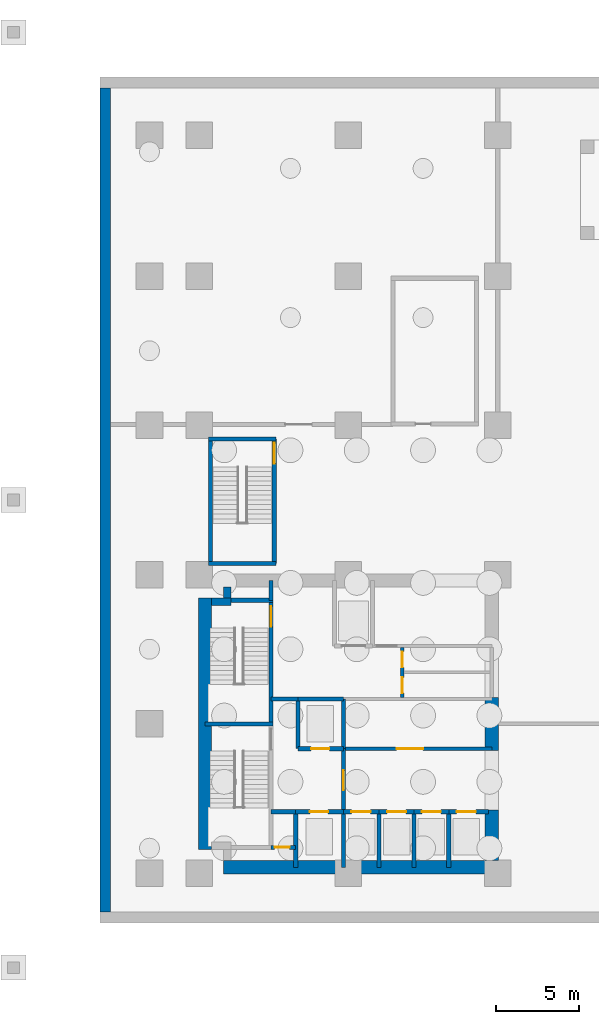
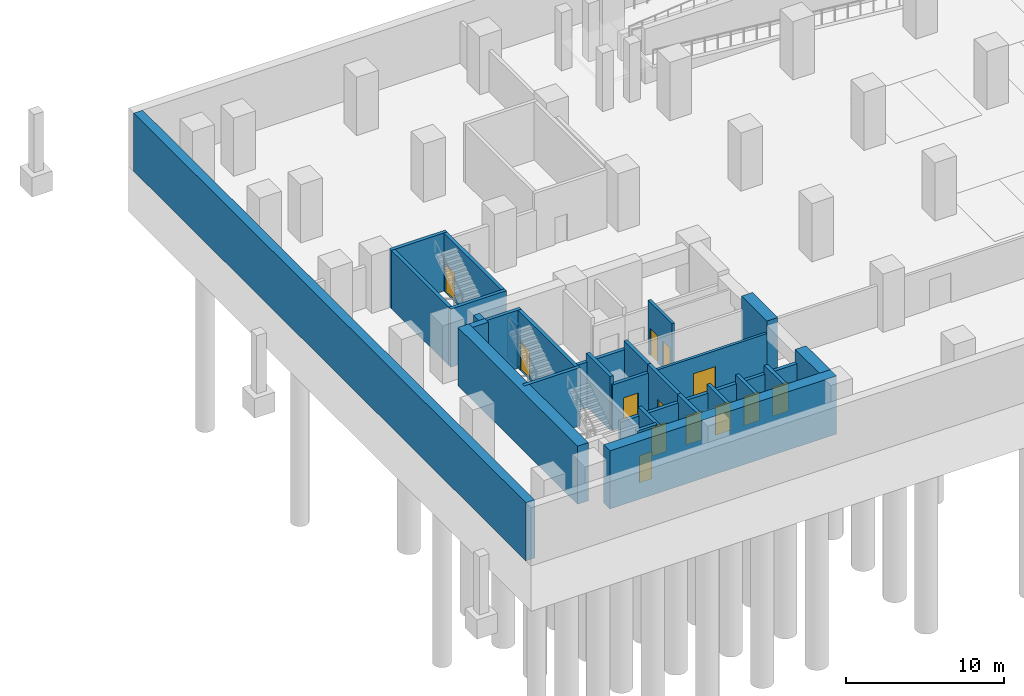
# One storey, part 4 of 10: 35 walls, 13 doors, 13 openings.
"""IFC4 building model written with IfcOpenShell, lengths in metres."""

from ifc_helpers import new_model, si_unit, direction, frame, frame_2d, origin, place, context, subcontext, project, spatial, rectangle, extrude, material, layer, layer_set, type_object, element, fill, save


model = new_model("IFC4")

# Units and contexts
model_context = context("Model", 3, precision=1e-05, world=origin(), true_north=direction((0.0, 1.0)))
body_context = subcontext(model_context, "Body", "Model", "MODEL_VIEW")
ifc_project = project(units=[si_unit("LENGTHUNIT", "METRE"), si_unit("AREAUNIT", "SQUARE_METRE"), si_unit("VOLUMEUNIT", "CUBIC_METRE"), si_unit("PLANEANGLEUNIT", "RADIAN"), si_unit("MASSUNIT", "GRAM", prefix="KILO")], contexts=[model_context])

# Site, building, storey
site_placement = place(None, origin())
site = spatial("IfcSite", under=ifc_project, at=site_placement, CompositionType="ELEMENT")
building_placement = place(site_placement, origin())
building = spatial("IfcBuilding", under=site, at=building_placement, Name="Mawjdan Bourse Tower", CompositionType="ELEMENT")
storey_placement = place(building_placement, frame((0.0, 0.0, -13.5)))
storey = spatial("IfcBuildingStorey", under=building, at=storey_placement, Name="B03", CompositionType="ELEMENT", Elevation=-13.5)

# Wall, opening, door
ifc_material_1 = material(Name="Gypsum Fireboard Assembly")
ifc_layer_1 = layer(ifc_material_1, 0.199951171875)
ifc_layer_set_1 = layer_set([ifc_layer_1], Name="Gypsum Fireboard Assembly")
wall_type_1 = type_object("IfcWallType", Name="WL-CMP-200", PredefinedType="PARTITIONING", material=ifc_layer_set_1)
wall_1_placement = place(storey_placement, frame((14.699951171875, 10.5, 0.0), z_axis=(0.0, 0.0, 1.0), x_axis=(1.0, 0.0, 0.0)))
wall_1 = element("IfcWall", 1, at=wall_1_placement, inside=storey, type_object=wall_type_1, Name="B03 Basement Switchroom South Wall", PredefinedType="PARTITIONING", context=body_context, shape_type="SweptSolid", body=[
    extrude(rectangle(XDim=8.949951171875, YDim=0.199951171875, at=frame_2d((4.47509765625, 0.0))), origin(), (0.0, 0.0, 1.0), 3.52294921875),
])
opening_1_placement = place(wall_1_placement, frame((3.199951171875, 0.0, 0.0)))
opening_1 = element("IfcOpeningElement", 2, at=opening_1_placement, cuts=wall_1, Name="Opening PD-B03-15", PredefinedType="OPENING", context=body_context, shape_type="SweptSolid", body=[
    extrude(rectangle(XDim=1.60009765625, YDim=2.300048828125, at=frame_2d((0.800048828125, 1.14990234375))), frame((0.0, 0.10986328125, 0.0), z_axis=(0.0, -1.0, 0.0), x_axis=(1.0, 0.0, 0.0)), (0.0, 0.0, 1.0), 0.219970703125),
])
ifc_material_2 = material(Name="Fire-Rated Acoustic Steel", Category="steel")
door_type_1 = type_object("IfcDoorType", Name="FD-PLT-1600", OperationType="DOUBLE_DOOR_SINGLE_SWING", PredefinedType="DOOR", material=ifc_material_2)
door_1_placement = place(opening_1_placement, frame((1.60009765625, 0.0, 0.0), z_axis=(0.0, 0.0, 1.0), x_axis=(-1.0, 0.0, 0.0)))
door_1 = element("IfcDoor", 3, at=door_1_placement, inside=storey, type_object=door_type_1, Name="B03 LV Switchroom Door PD-B03-15", OperationType="DOUBLE_DOOR_SINGLE_SWING", OverallHeight=2.300048828125, OverallWidth=1.60009765625, PredefinedType="DOOR", context=body_context, shape_type="SweptSolid", body=[
    extrude(rectangle(XDim=1.60009765625, YDim=2.300048828125, at=frame_2d((0.800048828125, 1.14990234375))), frame((0.0, 0.02490234375, 0.0), z_axis=(0.0, -1.0, 0.0), x_axis=(1.0, 0.0, 0.0)), (0.0, 0.0, 1.0), 0.050048828125),
])
fill(opening_1, door_1)

# Wall, openings, doors
wall_2_placement = place(storey_placement, frame((18.25, 13.60009765625, 0.0), z_axis=(0.0, 0.0, 1.0), x_axis=(0.0, 1.0, 0.0)))
wall_2 = element("IfcWall", 4, at=wall_2_placement, inside=storey, type_object=wall_type_1, Name="B03 Core Restroom West Wall", PredefinedType="PARTITIONING", context=body_context, shape_type="SweptSolid", body=[
    extrude(rectangle(XDim=3.0, YDim=0.199951171875, at=frame_2d((1.5, 0.0))), origin(), (0.0, 0.0, 1.0), 4.139892578125),
])
opening_2_placement = place(wall_2_placement, frame((0.25, 0.0, 0.0)))
opening_2 = element("IfcOpeningElement", 5, at=opening_2_placement, cuts=wall_2, Name="Opening D-B03-16", PredefinedType="OPENING", context=body_context, shape_type="SweptSolid", body=[
    extrude(rectangle(XDim=0.949951171875, YDim=2.10009765625, at=frame_2d((0.47509765625, 1.050048828125))), frame((0.0, 0.10986328125, 0.0), z_axis=(0.0, -1.0, 0.0), x_axis=(1.0, 0.0, 0.0)), (0.0, 0.0, 1.0), 0.219970703125),
])
opening_3_placement = place(wall_2_placement, frame((1.800048828125, 0.0, 0.0)))
opening_3 = element("IfcOpeningElement", 6, at=opening_3_placement, cuts=wall_2, Name="Opening D-B03-17", PredefinedType="OPENING", context=body_context, shape_type="SweptSolid", body=[
    extrude(rectangle(XDim=0.949951171875, YDim=2.10009765625, at=frame_2d((0.47509765625, 1.050048828125))), frame((0.0, 0.10986328125, 0.0), z_axis=(0.0, -1.0, 0.0), x_axis=(1.0, 0.0, 0.0)), (0.0, 0.0, 1.0), 0.219970703125),
])
ifc_material_3 = material(Name="Moisture-Resistant Laminate Timber", Category="wood")
door_type_2 = type_object("IfcDoorType", Name="DR-WET-0950", OperationType="NOTDEFINED", PredefinedType="DOOR", material=ifc_material_3)
door_2_placement = place(opening_2_placement, origin())
door_2 = element("IfcDoor", 7, at=door_2_placement, inside=storey, type_object=door_type_2, Name="B03 Accessible WC Entry Door D-B03-16", OperationType="SINGLE_SWING_LEFT", OverallHeight=2.10009765625, OverallWidth=0.949951171875, PredefinedType="DOOR", context=body_context, shape_type="SweptSolid", body=[
    extrude(rectangle(XDim=0.949951171875, YDim=2.10009765625, at=frame_2d((0.47509765625, 1.050048828125))), frame((0.0, 0.02490234375, 0.0), z_axis=(0.0, -1.0, 0.0), x_axis=(1.0, 0.0, 0.0)), (0.0, 0.0, 1.0), 0.050048828125),
])
fill(opening_2, door_2)
door_3_placement = place(opening_3_placement, origin())
door_3 = element("IfcDoor", 8, at=door_3_placement, inside=storey, type_object=door_type_2, Name="B03 Core Restroom Entry Door D-B03-17", OperationType="SINGLE_SWING_RIGHT", OverallHeight=2.10009765625, OverallWidth=0.949951171875, PredefinedType="DOOR", context=body_context, shape_type="SweptSolid", body=[
    extrude(rectangle(XDim=0.949951171875, YDim=2.10009765625, at=frame_2d((0.47509765625, 1.050048828125))), frame((0.0, 0.02490234375, 0.0), z_axis=(0.0, -1.0, 0.0), x_axis=(1.0, 0.0, 0.0)), (0.0, 0.0, 1.0), 0.050048828125),
])
fill(opening_3, door_3)

# Walls
ifc_material_4 = material(Name="Concrete C60/75", Category="concrete")
ifc_layer_2 = layer(ifc_material_4, 0.449951171875)
ifc_layer_set_2 = layer_set([ifc_layer_2], Name="Concrete C60/75")
wall_type_2 = type_object("IfcWallType", Name="WL-CORE-450", PredefinedType="SHEAR", material=ifc_layer_set_2)
wall_3_placement = place(storey_placement, frame((6.75, 19.35009765625, 0.0), z_axis=(0.0, 0.0, 1.0), x_axis=(1.0, 0.0, 0.0)))
element("IfcWall", 9, at=wall_3_placement, inside=storey, type_object=wall_type_2, Name="B03 Rear Core Shear Wall NW-X", PredefinedType="SHEAR", context=body_context, shape_type="SweptSolid", body=[
    extrude(rectangle(XDim=1.175048828125, YDim=0.449951171875, at=frame_2d((0.58740234375, 0.0))), origin(), (0.0, 0.0, 1.0), 4.5),
])
wall_4_placement = place(storey_placement, frame((7.699951171875, 19.574951171875, 0.0), z_axis=(0.0, 0.0, 1.0), x_axis=(0.0, 1.0, 0.0)))
element("IfcWall", 10, at=wall_4_placement, inside=storey, type_object=wall_type_2, Name="B03 Rear Core Shear Wall NW-Y", PredefinedType="SHEAR", context=body_context, shape_type="SweptSolid", body=[
    extrude(rectangle(XDim=0.675048828125, YDim=0.449951171875, at=frame_2d((0.33740234375, 0.0))), origin(), (0.0, 0.0, 1.0), 4.5),
])
ifc_material_5 = material(Name="Concrete C80/95", Category="concrete")
ifc_layer_3 = layer(ifc_material_5, 0.800048828125)
ifc_layer_set_3 = layer_set([ifc_layer_3], Name="Concrete C80/95")
wall_type_3 = type_object("IfcWallType", Name="WL-CORE-800", PredefinedType="SHEAR", material=ifc_layer_set_3)
wall_5_placement = place(storey_placement, frame((7.47509765625, 3.35009765625, 0.0), z_axis=(0.0, 0.0, 1.0), x_axis=(1.0, 0.0, 0.0)))
element("IfcWall", 11, at=wall_5_placement, inside=storey, type_object=wall_type_3, Name="B03 Rear Core Shear Wall S", PredefinedType="SHEAR", context=body_context, shape_type="SweptSolid", body=[
    extrude(rectangle(XDim=16.574951171875, YDim=0.800048828125, at=frame_2d((8.28759765625, 0.0))), origin(), (0.0, 0.0, 1.0), 4.5),
])
wall_6_placement = place(storey_placement, frame((6.35009765625, 4.425048828125, 0.0), z_axis=(0.0, 0.0, 1.0), x_axis=(0.0, 1.0, 0.0)))
element("IfcWall", 12, at=wall_6_placement, inside=storey, type_object=wall_type_3, Name="B03 Rear Core Shear Wall W", PredefinedType="SHEAR", context=body_context, shape_type="SweptSolid", body=[
    extrude(rectangle(XDim=15.14990234375, YDim=0.800048828125, at=frame_2d((7.574951171875, 0.0))), origin(), (0.0, 0.0, 1.0), 4.5),
])
wall_7_placement = place(storey_placement, frame((23.64990234375, 3.75, 0.0), z_axis=(0.0, 0.0, 1.0), x_axis=(0.0, 1.0, 0.0)))
element("IfcWall", 13, at=wall_7_placement, inside=storey, type_object=wall_type_3, Name="B03 Rear Core Shear Wall E1", PredefinedType="SHEAR", context=body_context, shape_type="SweptSolid", body=[
    extrude(rectangle(XDim=3.050048828125, YDim=0.800048828125, at=frame_2d((1.52490234375, 0.0))), origin(), (0.0, 0.0, 1.0), 4.5),
])
wall_8_placement = place(storey_placement, frame((23.64990234375, 10.39990234375, 0.0), z_axis=(0.0, 0.0, 1.0), x_axis=(0.0, 1.0, 0.0)))
element("IfcWall", 14, at=wall_8_placement, inside=storey, type_object=wall_type_3, Name="B03 Rear Core Shear Wall E2", PredefinedType="SHEAR", context=body_context, shape_type="SweptSolid", body=[
    extrude(rectangle(XDim=3.2001953125, YDim=0.800048828125, at=frame_2d((1.60009765625, 0.0))), origin(), (0.0, 0.0, 1.0), 4.5),
])
ifc_layer_4 = layer(ifc_material_4, 0.64990234375)
ifc_layer_set_4 = layer_set([ifc_layer_4], Name="Concrete C60/75")
wall_type_4 = type_object("IfcWallType", Name="WL-RET-650", PredefinedType="USERDEFINED", material=ifc_layer_set_4)
wall_9_placement = place(storey_placement, frame((0.324951171875, 50.35009765625, 0.0), z_axis=(0.0, 0.0, 1.0), x_axis=(0.0, -1.0, 0.0)))
element("IfcWall", 15, at=wall_9_placement, inside=storey, type_object=wall_type_4, Name="B03 Perimeter Diaphragm Retaining Wall W", ObjectType="RETAINING", PredefinedType="USERDEFINED", context=body_context, shape_type="SweptSolid", body=[
    extrude(rectangle(XDim=49.7001953125, YDim=0.64990234375, at=frame_2d((24.85009765625, 0.0))), origin(), (0.0, 0.0, 1.0), 4.5),
])

# Wall, opening, door
ifc_material_6 = material(Name="Concrete C50/60", Category="concrete")
ifc_layer_5 = layer(ifc_material_6, 0.25)
ifc_layer_set_5 = layer_set([ifc_layer_5], Name="Concrete C50/60")
wall_type_5 = type_object("IfcWallType", Name="WL-SHFT-250", PredefinedType="PARTITIONING", material=ifc_layer_set_5)
wall_10_placement = place(storey_placement, frame((10.330078125, 4.550048828125, 0.0), z_axis=(0.0, 0.0, 1.0), x_axis=(1.0, 0.0, 0.0)))
wall_10 = element("IfcWall", 16, at=wall_10_placement, inside=storey, type_object=wall_type_5, Name="B03 SW Riser North Wall", PredefinedType="PARTITIONING", context=body_context, shape_type="SweptSolid", body=[
    extrude(rectangle(XDim=1.489990234375, YDim=0.25, at=frame_2d((0.7451171875, 0.0))), origin(), (0.0, 0.0, 1.0), 4.139892578125),
])
opening_4_placement = place(wall_10_placement, frame((0.219970703125, 0.0, 0.0)))
opening_4 = element("IfcOpeningElement", 17, at=opening_4_placement, cuts=wall_10, Name="Opening RD-B03-03", PredefinedType="OPENING", context=body_context, shape_type="SweptSolid", body=[
    extrude(rectangle(XDim=0.89990234375, YDim=2.10009765625, at=frame_2d((0.449951171875, 1.050048828125))), frame((0.0, 0.135009765625, 0.0), z_axis=(0.0, -1.0, 0.0), x_axis=(1.0, 0.0, 0.0)), (0.0, 0.0, 1.0), 0.27001953125),
])
ifc_material_7 = material(Name="Fire-Rated Steel Access Leaf", Category="steel")
door_type_3 = type_object("IfcDoorType", Name="FD-RSR-0900", OperationType="NOTDEFINED", PredefinedType="TRAPDOOR", material=ifc_material_7)
door_4_placement = place(opening_4_placement, origin())
door_4 = element("IfcDoor", 18, at=door_4_placement, inside=storey, type_object=door_type_3, Name="B03 Electrical Riser Access Door RD-B03-03", OperationType="SINGLE_SWING_RIGHT", OverallHeight=2.10009765625, OverallWidth=0.89990234375, PredefinedType="TRAPDOOR", context=body_context, shape_type="SweptSolid", body=[
    extrude(rectangle(XDim=0.89990234375, YDim=2.10009765625, at=frame_2d((0.449951171875, 1.050048828125))), frame((0.0, 0.02490234375, 0.0), z_axis=(0.0, -1.0, 0.0), x_axis=(1.0, 0.0, 0.0)), (0.0, 0.0, 1.0), 0.050048828125),
])
fill(opening_4, door_4)

# Walls
wall_11_placement = place(storey_placement, frame((11.820068359375, 3.35009765625, 0.0), z_axis=(0.0, 0.0, 1.0), x_axis=(0.0, 1.0, 0.0)))
element("IfcWall", 19, at=wall_11_placement, inside=storey, type_object=wall_type_5, Name="B03 SW Riser & FFL01 West Wall", PredefinedType="PARTITIONING", context=body_context, shape_type="SweptSolid", body=[
    extrude(rectangle(XDim=3.349853515625, YDim=0.25, at=frame_2d((1.6748046875, 0.0))), origin(), (0.0, 0.0, 1.0), 4.139892578125),
])
wall_12_placement = place(storey_placement, frame((10.330078125, 19.449951171875, 0.0), z_axis=(0.0, 0.0, 1.0), x_axis=(0.0, 1.0, 0.0)))
element("IfcWall", 20, at=wall_12_placement, inside=storey, type_object=wall_type_5, Name="B03 NW Riser East Wall", PredefinedType="PARTITIONING", context=body_context, shape_type="SweptSolid", body=[
    extrude(rectangle(XDim=1.199951171875, YDim=0.25, at=frame_2d((0.60009765625, 0.0))), origin(), (0.0, 0.0, 1.0), 3.199951171875),
])

# Wall, opening, door
wall_13_placement = place(storey_placement, frame((11.820068359375, 6.699951171875, 0.0), z_axis=(0.0, 0.0, 1.0), x_axis=(1.0, 0.0, 0.0)))
wall_13 = element("IfcWall", 21, at=wall_13_placement, inside=storey, type_object=wall_type_5, Name="B03 FFL-01 Front Shaft Wall", PredefinedType="PARTITIONING", context=body_context, shape_type="SweptSolid", body=[
    extrude(rectangle(XDim=2.8798828125, YDim=0.25, at=frame_2d((1.43994140625, 0.0))), origin(), (0.0, 0.0, 1.0), 3.52294921875),
])
opening_5_placement = place(wall_13_placement, frame((0.85009765625, 0.0, 0.0)))
opening_5 = element("IfcOpeningElement", 22, at=opening_5_placement, cuts=wall_13, Name="Opening LD-B03-05", PredefinedType="OPENING", context=body_context, shape_type="SweptSolid", body=[
    extrude(rectangle(XDim=1.10009765625, YDim=2.25, at=frame_2d((0.550048828125, 1.125))), frame((0.0, 0.135009765625, 0.0), z_axis=(0.0, -1.0, 0.0), x_axis=(1.0, 0.0, 0.0)), (0.0, 0.0, 1.0), 0.27001953125),
])
ifc_material_8 = material(Name="Brushed Stainless Steel", Category="steel")
door_type_4 = type_object("IfcDoorType", Name="LD-FFL-1100", OperationType="DOUBLE_DOOR_SLIDING", PredefinedType="DOOR", material=ifc_material_8)
door_5_placement = place(opening_5_placement, origin())
door_5 = element("IfcDoor", 23, at=door_5_placement, inside=storey, type_object=door_type_4, Name="B03 Firefighting Lift FFL-01 Landing Door LD-B03-05", OperationType="DOUBLE_DOOR_SLIDING", OverallHeight=2.25, OverallWidth=1.10009765625, PredefinedType="DOOR", context=body_context, shape_type="SweptSolid", body=[
    extrude(rectangle(XDim=1.10009765625, YDim=2.25, at=frame_2d((0.550048828125, 1.125))), frame((0.0, 0.02490234375, 0.0), z_axis=(0.0, -1.0, 0.0), x_axis=(1.0, 0.0, 0.0)), (0.0, 0.0, 1.0), 0.050048828125),
])
fill(opening_5, door_5)

# Wall
wall_14_placement = place(storey_placement, frame((14.699951171875, 3.35009765625, 0.0), z_axis=(0.0, 0.0, 1.0), x_axis=(0.0, 1.0, 0.0)))
element("IfcWall", 24, at=wall_14_placement, inside=storey, type_object=wall_type_5, Name="B03 FFL-01 East Shaft Wall", PredefinedType="PARTITIONING", context=body_context, shape_type="SweptSolid", body=[
    extrude(rectangle(XDim=3.349853515625, YDim=0.25, at=frame_2d((1.6748046875, 0.0))), origin(), (0.0, 0.0, 1.0), 4.139892578125),
])

# Wall, opening, door
wall_15_placement = place(storey_placement, frame((11.949951171875, 10.5, 0.0), z_axis=(0.0, 0.0, 1.0), x_axis=(1.0, 0.0, 0.0)))
wall_15 = element("IfcWall", 25, at=wall_15_placement, inside=storey, type_object=wall_type_5, Name="B03 FFL-02 Front Shaft Wall", PredefinedType="PARTITIONING", context=body_context, shape_type="SweptSolid", body=[
    extrude(rectangle(XDim=2.75, YDim=0.25, at=frame_2d((1.375, 0.0))), origin(), (0.0, 0.0, 1.0), 3.52294921875),
])
opening_6_placement = place(wall_15_placement, frame((0.800048828125, 0.0, 0.0)))
opening_6 = element("IfcOpeningElement", 26, at=opening_6_placement, cuts=wall_15, Name="Opening LD-B03-06", PredefinedType="OPENING", context=body_context, shape_type="SweptSolid", body=[
    extrude(rectangle(XDim=1.10009765625, YDim=2.25, at=frame_2d((0.550048828125, 1.125))), frame((0.0, 0.135009765625, 0.0), z_axis=(0.0, -1.0, 0.0), x_axis=(1.0, 0.0, 0.0)), (0.0, 0.0, 1.0), 0.27001953125),
])
door_6_placement = place(opening_6_placement, origin())
door_6 = element("IfcDoor", 27, at=door_6_placement, inside=storey, type_object=door_type_4, Name="B03 Firefighting Lift FFL-02 Landing Door LD-B03-06", OperationType="DOUBLE_DOOR_SLIDING", OverallHeight=2.25, OverallWidth=1.10009765625, PredefinedType="DOOR", context=body_context, shape_type="SweptSolid", body=[
    extrude(rectangle(XDim=1.10009765625, YDim=2.25, at=frame_2d((0.550048828125, 1.125))), frame((0.0, 0.02490234375, 0.0), z_axis=(0.0, -1.0, 0.0), x_axis=(1.0, 0.0, 0.0)), (0.0, 0.0, 1.0), 0.050048828125),
])
fill(opening_6, door_6)

# Walls
wall_16_placement = place(storey_placement, frame((11.949951171875, 10.5, 0.0), z_axis=(0.0, 0.0, 1.0), x_axis=(0.0, 1.0, 0.0)))
element("IfcWall", 28, at=wall_16_placement, inside=storey, type_object=wall_type_5, Name="B03 FFL-02 West Shaft Wall", PredefinedType="PARTITIONING", context=body_context, shape_type="SweptSolid", body=[
    extrude(rectangle(XDim=3.0, YDim=0.25, at=frame_2d((1.5, 0.0))), origin(), (0.0, 0.0, 1.0), 4.139892578125),
])
wall_17_placement = place(storey_placement, frame((11.949951171875, 13.5, 0.0), z_axis=(0.0, 0.0, 1.0), x_axis=(1.0, 0.0, 0.0)))
element("IfcWall", 29, at=wall_17_placement, inside=storey, type_object=wall_type_5, Name="B03 FFL-02 North Shaft Wall", PredefinedType="PARTITIONING", context=body_context, shape_type="SweptSolid", body=[
    extrude(rectangle(XDim=2.75, YDim=0.25, at=frame_2d((1.375, 0.0))), origin(), (0.0, 0.0, 1.0), 3.52294921875),
])
wall_18_placement = place(storey_placement, frame((14.699951171875, 10.5, 0.0), z_axis=(0.0, 0.0, 1.0), x_axis=(0.0, 1.0, 0.0)))
element("IfcWall", 30, at=wall_18_placement, inside=storey, type_object=wall_type_5, Name="B03 FFL-02 East Shaft Wall", PredefinedType="PARTITIONING", context=body_context, shape_type="SweptSolid", body=[
    extrude(rectangle(XDim=3.0, YDim=0.25, at=frame_2d((1.5, 0.0))), origin(), (0.0, 0.0, 1.0), 4.139892578125),
])

# Wall, opening, door
wall_19_placement = place(storey_placement, frame((14.699951171875, 6.699951171875, 0.0), z_axis=(0.0, 0.0, 1.0), x_axis=(0.0, 1.0, 0.0)))
wall_19 = element("IfcWall", 31, at=wall_19_placement, inside=storey, type_object=wall_type_5, Name="B03 Firefighting Lobby East Compartment Wall", PredefinedType="PARTITIONING", context=body_context, shape_type="SweptSolid", body=[
    extrude(rectangle(XDim=3.800048828125, YDim=0.25, at=frame_2d((1.89990234375, 0.0))), origin(), (0.0, 0.0, 1.0), 4.139892578125),
])
opening_7_placement = place(wall_19_placement, frame((1.300048828125, 0.0, 0.0)))
opening_7 = element("IfcOpeningElement", 32, at=opening_7_placement, cuts=wall_19, Name="Opening FD-B03-07", PredefinedType="OPENING", context=body_context, shape_type="SweptSolid", body=[
    extrude(rectangle(XDim=1.199951171875, YDim=2.199951171875, at=frame_2d((0.60009765625, 1.10009765625))), frame((0.0, 0.135009765625, 0.0), z_axis=(0.0, -1.0, 0.0), x_axis=(1.0, 0.0, 0.0)), (0.0, 0.0, 1.0), 0.27001953125),
])
ifc_material_9 = material(Name="Fire-Rated Steel Leaf", Category="steel")
door_type_5 = type_object("IfcDoorType", Name="FD-FFL-1200", OperationType="NOTDEFINED", PredefinedType="DOOR", material=ifc_material_9)
door_7_placement = place(opening_7_placement, origin())
door_7 = element("IfcDoor", 33, at=door_7_placement, inside=storey, type_object=door_type_5, Name="B03 Firefighting Lobby East Smoke Door FD-B03-07", OperationType="SINGLE_SWING_RIGHT", OverallHeight=2.199951171875, OverallWidth=1.199951171875, PredefinedType="DOOR", context=body_context, shape_type="SweptSolid", body=[
    extrude(rectangle(XDim=1.199951171875, YDim=2.199951171875, at=frame_2d((0.60009765625, 1.10009765625))), frame((0.0, 0.02490234375, 0.0), z_axis=(0.0, -1.0, 0.0), x_axis=(1.0, 0.0, 0.0)), (0.0, 0.0, 1.0), 0.050048828125),
])
fill(opening_7, door_7)

# Walls
wall_20_placement = place(storey_placement, frame((10.330078125, 13.5, 0.0), z_axis=(0.0, 0.0, 1.0), x_axis=(1.0, 0.0, 0.0)))
element("IfcWall", 34, at=wall_20_placement, inside=storey, type_object=wall_type_5, Name="B03 Firefighting Lobby North Compartment Wall", PredefinedType="PARTITIONING", context=body_context, shape_type="SweptSolid", body=[
    extrude(rectangle(XDim=1.619873046875, YDim=0.25, at=frame_2d((0.81005859375, 0.0))), origin(), (0.0, 0.0, 1.0), 3.52294921875),
])
wall_21_placement = place(storey_placement, frame((10.330078125, 6.699951171875, 0.0), z_axis=(0.0, 0.0, 1.0), x_axis=(1.0, 0.0, 0.0)))
element("IfcWall", 35, at=wall_21_placement, inside=storey, type_object=wall_type_5, Name="B03 Firefighting Lobby South Closure Wall", PredefinedType="PARTITIONING", context=body_context, shape_type="SweptSolid", body=[
    extrude(rectangle(XDim=1.489990234375, YDim=0.25, at=frame_2d((0.7451171875, 0.0))), origin(), (0.0, 0.0, 1.0), 3.52294921875),
])

# Wall, opening, door
wall_22_placement = place(storey_placement, frame((14.699951171875, 6.699951171875, 0.0), z_axis=(0.0, 0.0, 1.0), x_axis=(1.0, 0.0, 0.0)))
wall_22 = element("IfcWall", 36, at=wall_22_placement, inside=storey, type_object=wall_type_5, Name="B03 PL-04 Front Wall", PredefinedType="PARTITIONING", context=body_context, shape_type="SweptSolid", body=[
    extrude(rectangle(XDim=2.150146484375, YDim=0.25, at=frame_2d((1.0751953125, 0.0))), origin(), (0.0, 0.0, 1.0), 3.52294921875),
])
opening_8_placement = place(wall_22_placement, frame((0.47998046875, 0.0, 0.0)))
opening_8 = element("IfcOpeningElement", 37, at=opening_8_placement, cuts=wall_22, Name="Opening LD-B03-11", PredefinedType="OPENING", context=body_context, shape_type="SweptSolid", body=[
    extrude(rectangle(XDim=1.14990234375, YDim=2.25, at=frame_2d((0.574951171875, 1.125))), frame((0.0, 0.135009765625, 0.0), z_axis=(0.0, -1.0, 0.0), x_axis=(1.0, 0.0, 0.0)), (0.0, 0.0, 1.0), 0.27001953125),
])
door_type_6 = type_object("IfcDoorType", Name="LD-PAS-1150", OperationType="DOUBLE_DOOR_SLIDING", PredefinedType="DOOR", material=ifc_material_8)
door_8_placement = place(opening_8_placement, origin())
door_8 = element("IfcDoor", 38, at=door_8_placement, inside=storey, type_object=door_type_6, Name="B03 Lift PL-04 Landing Door LD-B03-11", OperationType="DOUBLE_DOOR_SLIDING", OverallHeight=2.25, OverallWidth=1.14990234375, PredefinedType="DOOR", context=body_context, shape_type="SweptSolid", body=[
    extrude(rectangle(XDim=1.14990234375, YDim=2.25, at=frame_2d((0.574951171875, 1.125))), frame((0.0, 0.02490234375, 0.0), z_axis=(0.0, -1.0, 0.0), x_axis=(1.0, 0.0, 0.0)), (0.0, 0.0, 1.0), 0.050048828125),
])
fill(opening_8, door_8)

# Wall
wall_23_placement = place(storey_placement, frame((16.85009765625, 3.35009765625, 0.0), z_axis=(0.0, 0.0, 1.0), x_axis=(0.0, 1.0, 0.0)))
element("IfcWall", 39, at=wall_23_placement, inside=storey, type_object=wall_type_5, Name="B03 PL-04 Divider Wall", PredefinedType="PARTITIONING", context=body_context, shape_type="SweptSolid", body=[
    extrude(rectangle(XDim=3.349853515625, YDim=0.25, at=frame_2d((1.6748046875, 0.0))), origin(), (0.0, 0.0, 1.0), 4.139892578125),
])

# Wall, opening, door
wall_24_placement = place(storey_placement, frame((16.85009765625, 6.699951171875, 0.0), z_axis=(0.0, 0.0, 1.0), x_axis=(1.0, 0.0, 0.0)))
wall_24 = element("IfcWall", 40, at=wall_24_placement, inside=storey, type_object=wall_type_5, Name="B03 PL-01 Front Wall", PredefinedType="PARTITIONING", context=body_context, shape_type="SweptSolid", body=[
    extrude(rectangle(XDim=2.099853515625, YDim=0.25, at=frame_2d((1.0498046875, 0.0))), origin(), (0.0, 0.0, 1.0), 3.52294921875),
])
opening_9_placement = place(wall_24_placement, frame((0.47998046875, 0.0, 0.0)))
opening_9 = element("IfcOpeningElement", 41, at=opening_9_placement, cuts=wall_24, Name="Opening LD-B03-12", PredefinedType="OPENING", context=body_context, shape_type="SweptSolid", body=[
    extrude(rectangle(XDim=1.14990234375, YDim=2.25, at=frame_2d((0.574951171875, 1.125))), frame((0.0, 0.135009765625, 0.0), z_axis=(0.0, -1.0, 0.0), x_axis=(1.0, 0.0, 0.0)), (0.0, 0.0, 1.0), 0.27001953125),
])
door_9_placement = place(opening_9_placement, origin())
door_9 = element("IfcDoor", 42, at=door_9_placement, inside=storey, type_object=door_type_6, Name="B03 Lift PL-01 Landing Door LD-B03-12", OperationType="DOUBLE_DOOR_SLIDING", OverallHeight=2.25, OverallWidth=1.14990234375, PredefinedType="DOOR", context=body_context, shape_type="SweptSolid", body=[
    extrude(rectangle(XDim=1.14990234375, YDim=2.25, at=frame_2d((0.574951171875, 1.125))), frame((0.0, 0.02490234375, 0.0), z_axis=(0.0, -1.0, 0.0), x_axis=(1.0, 0.0, 0.0)), (0.0, 0.0, 1.0), 0.050048828125),
])
fill(opening_9, door_9)

# Wall
wall_25_placement = place(storey_placement, frame((18.949951171875, 3.35009765625, 0.0), z_axis=(0.0, 0.0, 1.0), x_axis=(0.0, 1.0, 0.0)))
element("IfcWall", 43, at=wall_25_placement, inside=storey, type_object=wall_type_5, Name="B03 PL-01 Divider Wall", PredefinedType="PARTITIONING", context=body_context, shape_type="SweptSolid", body=[
    extrude(rectangle(XDim=3.349853515625, YDim=0.25, at=frame_2d((1.6748046875, 0.0))), origin(), (0.0, 0.0, 1.0), 4.139892578125),
])

# Wall, opening, door
wall_26_placement = place(storey_placement, frame((18.949951171875, 6.699951171875, 0.0), z_axis=(0.0, 0.0, 1.0), x_axis=(1.0, 0.0, 0.0)))
wall_26 = element("IfcWall", 44, at=wall_26_placement, inside=storey, type_object=wall_type_5, Name="B03 PL-02 Front Wall", PredefinedType="PARTITIONING", context=body_context, shape_type="SweptSolid", body=[
    extrude(rectangle(XDim=2.10009765625, YDim=0.25, at=frame_2d((1.050048828125, 0.0))), origin(), (0.0, 0.0, 1.0), 3.52294921875),
])
opening_10_placement = place(wall_26_placement, frame((0.47998046875, 0.0, 0.0)))
opening_10 = element("IfcOpeningElement", 45, at=opening_10_placement, cuts=wall_26, Name="Opening LD-B03-13", PredefinedType="OPENING", context=body_context, shape_type="SweptSolid", body=[
    extrude(rectangle(XDim=1.14990234375, YDim=2.25, at=frame_2d((0.574951171875, 1.125))), frame((0.0, 0.135009765625, 0.0), z_axis=(0.0, -1.0, 0.0), x_axis=(1.0, 0.0, 0.0)), (0.0, 0.0, 1.0), 0.27001953125),
])
door_10_placement = place(opening_10_placement, origin())
door_10 = element("IfcDoor", 46, at=door_10_placement, inside=storey, type_object=door_type_6, Name="B03 Lift PL-02 Landing Door LD-B03-13", OperationType="DOUBLE_DOOR_SLIDING", OverallHeight=2.25, OverallWidth=1.14990234375, PredefinedType="DOOR", context=body_context, shape_type="SweptSolid", body=[
    extrude(rectangle(XDim=1.14990234375, YDim=2.25, at=frame_2d((0.574951171875, 1.125))), frame((0.0, 0.02490234375, 0.0), z_axis=(0.0, -1.0, 0.0), x_axis=(1.0, 0.0, 0.0)), (0.0, 0.0, 1.0), 0.050048828125),
])
fill(opening_10, door_10)

# Wall
wall_27_placement = place(storey_placement, frame((21.050048828125, 3.35009765625, 0.0), z_axis=(0.0, 0.0, 1.0), x_axis=(0.0, 1.0, 0.0)))
element("IfcWall", 47, at=wall_27_placement, inside=storey, type_object=wall_type_5, Name="B03 PL-02 Divider Wall", PredefinedType="PARTITIONING", context=body_context, shape_type="SweptSolid", body=[
    extrude(rectangle(XDim=3.349853515625, YDim=0.25, at=frame_2d((1.6748046875, 0.0))), origin(), (0.0, 0.0, 1.0), 4.139892578125),
])

# Wall, opening, door
wall_28_placement = place(storey_placement, frame((21.050048828125, 6.699951171875, 0.0), z_axis=(0.0, 0.0, 1.0), x_axis=(1.0, 0.0, 0.0)))
wall_28 = element("IfcWall", 48, at=wall_28_placement, inside=storey, type_object=wall_type_5, Name="B03 PL-03 Front Wall", PredefinedType="PARTITIONING", context=body_context, shape_type="SweptSolid", body=[
    extrude(rectangle(XDim=2.39990234375, YDim=0.25, at=frame_2d((1.199951171875, 0.0))), origin(), (0.0, 0.0, 1.0), 3.52294921875),
])
opening_11_placement = place(wall_28_placement, frame((0.47998046875, 0.0, 0.0)))
opening_11 = element("IfcOpeningElement", 49, at=opening_11_placement, cuts=wall_28, Name="Opening LD-B03-14", PredefinedType="OPENING", context=body_context, shape_type="SweptSolid", body=[
    extrude(rectangle(XDim=1.14990234375, YDim=2.25, at=frame_2d((0.574951171875, 1.125))), frame((0.0, 0.135009765625, 0.0), z_axis=(0.0, -1.0, 0.0), x_axis=(1.0, 0.0, 0.0)), (0.0, 0.0, 1.0), 0.27001953125),
])
door_11_placement = place(opening_11_placement, origin())
door_11 = element("IfcDoor", 50, at=door_11_placement, inside=storey, type_object=door_type_6, Name="B03 Lift PL-03 Landing Door LD-B03-14", OperationType="DOUBLE_DOOR_SLIDING", OverallHeight=2.25, OverallWidth=1.14990234375, PredefinedType="DOOR", context=body_context, shape_type="SweptSolid", body=[
    extrude(rectangle(XDim=1.14990234375, YDim=2.25, at=frame_2d((0.574951171875, 1.125))), frame((0.0, 0.02490234375, 0.0), z_axis=(0.0, -1.0, 0.0), x_axis=(1.0, 0.0, 0.0)), (0.0, 0.0, 1.0), 0.050048828125),
])
fill(opening_11, door_11)

# Walls
ifc_layer_6 = layer(ifc_material_6, 0.25)
ifc_layer_set_6 = layer_set([ifc_layer_6], Name="Concrete C50/60")
wall_type_6 = type_object("IfcWallType", Name="WL-STRW-250", PredefinedType="SHEAR", material=ifc_layer_set_6)
wall_29_placement = place(storey_placement, frame((6.35009765625, 12.0, 0.0), z_axis=(0.0, 0.0, 1.0), x_axis=(1.0, 0.0, 0.0)))
element("IfcWall", 51, at=wall_29_placement, inside=storey, type_object=wall_type_6, Name="B03 Stairwell Dividing Shaft Wall", PredefinedType="SHEAR", context=body_context, shape_type="SweptSolid", body=[
    extrude(rectangle(XDim=4.10498046875, YDim=0.25, at=frame_2d((2.052490234375, 0.0))), origin(), (0.0, 0.0, 1.0), 4.5),
])
wall_30_placement = place(storey_placement, frame((7.699951171875, 19.449951171875, 0.0), z_axis=(0.0, 0.0, 1.0), x_axis=(1.0, 0.0, 0.0)))
element("IfcWall", 52, at=wall_30_placement, inside=storey, type_object=wall_type_6, Name="B03 Stairwell ST2 North Shaft Wall", PredefinedType="SHEAR", context=body_context, shape_type="SweptSolid", body=[
    extrude(rectangle(XDim=2.755126953125, YDim=0.25, at=frame_2d((1.37744140625, 0.0))), origin(), (0.0, 0.0, 1.0), 4.5),
])

# Wall, opening, door
wall_31_placement = place(storey_placement, frame((10.330078125, 12.0, 0.0), z_axis=(0.0, 0.0, 1.0), x_axis=(0.0, 1.0, 0.0)))
wall_31 = element("IfcWall", 53, at=wall_31_placement, inside=storey, type_object=wall_type_6, Name="B03 Stairwell ST2 East Enclosure Wall", PredefinedType="SHEAR", context=body_context, shape_type="SweptSolid", body=[
    extrude(rectangle(XDim=7.449951171875, YDim=0.25, at=frame_2d((3.72509765625, 0.0))), origin(), (0.0, 0.0, 1.0), 4.5),
])
opening_12_placement = place(wall_31_placement, frame((5.85009765625, 0.0, 0.0)))
opening_12 = element("IfcOpeningElement", 54, at=opening_12_placement, cuts=wall_31, Name="Opening SD-B03-02", PredefinedType="OPENING", context=body_context, shape_type="SweptSolid", body=[
    extrude(rectangle(XDim=1.25, YDim=2.199951171875, at=frame_2d((0.625, 1.10009765625))), frame((0.0, 0.135009765625, 0.0), z_axis=(0.0, -1.0, 0.0), x_axis=(1.0, 0.0, 0.0)), (0.0, 0.0, 1.0), 0.27001953125),
])
door_type_7 = type_object("IfcDoorType", Name="FD-ST-1250", OperationType="NOTDEFINED", PredefinedType="DOOR", material=ifc_material_9)
door_12_placement = place(opening_12_placement, origin())
door_12 = element("IfcDoor", 55, at=door_12_placement, inside=storey, type_object=door_type_7, Name="B03 Exit Stair ST2 Fire Door SD-B03-02", OperationType="SINGLE_SWING_LEFT", OverallHeight=2.199951171875, OverallWidth=1.25, PredefinedType="DOOR", context=body_context, shape_type="SweptSolid", body=[
    extrude(rectangle(XDim=1.25, YDim=2.199951171875, at=frame_2d((0.625, 1.10009765625))), frame((0.0, 0.02490234375, 0.0), z_axis=(0.0, -1.0, 0.0), x_axis=(1.0, 0.0, 0.0)), (0.0, 0.0, 1.0), 0.050048828125),
])
fill(opening_12, door_12)

# Walls
for number, where, z_axis, x_axis, name in (
    (56, (6.554931640625, 21.679931640625, 0.0), (0.0, 0.0, 1.0), (1.0, 0.0, 0.0), "B03 ST3 South Shaft Wall"),
    (57, (6.554931640625, 29.179931640625, 0.0), (0.0, 0.0, 1.0), (1.0, 0.0, 0.0), "B03 ST3 North Shaft Wall"),
):
    element("IfcWall", number, at=place(storey_placement, frame(where, z_axis=z_axis, x_axis=x_axis)), inside=storey, type_object=wall_type_6, Name=name, PredefinedType="SHEAR", context=body_context, shape_type="SweptSolid", body=[
        extrude(rectangle(XDim=4.090087890625, YDim=0.25, at=frame_2d((2.044921875, 0.0))), origin(), (0.0, 0.0, 1.0), 4.5),
    ])
wall_32_placement = place(storey_placement, frame((6.679931640625, 21.679931640625, 0.0), z_axis=(0.0, 0.0, 1.0), x_axis=(0.0, 1.0, 0.0)))
element("IfcWall", 58, at=wall_32_placement, inside=storey, type_object=wall_type_6, Name="B03 ST3 West Shaft Wall", PredefinedType="SHEAR", context=body_context, shape_type="SweptSolid", body=[
    extrude(rectangle(XDim=7.5, YDim=0.25, at=frame_2d((3.75, 0.0))), origin(), (0.0, 0.0, 1.0), 4.5),
])

# Wall, opening, door
wall_33_placement = place(storey_placement, frame((10.52001953125, 21.679931640625, 0.0), z_axis=(0.0, 0.0, 1.0), x_axis=(0.0, 1.0, 0.0)))
wall_33 = element("IfcWall", 59, at=wall_33_placement, inside=storey, type_object=wall_type_6, Name="B03 ST3 East Shaft Wall", PredefinedType="SHEAR", context=body_context, shape_type="SweptSolid", body=[
    extrude(rectangle(XDim=7.5, YDim=0.25, at=frame_2d((3.75, 0.0))), origin(), (0.0, 0.0, 1.0), 4.5),
])
opening_13_placement = place(wall_33_placement, frame((6.02001953125, 0.0, 0.0)))
opening_13 = element("IfcOpeningElement", 60, at=opening_13_placement, cuts=wall_33, Name="Opening SD-B03-18", PredefinedType="OPENING", context=body_context, shape_type="SweptSolid", body=[
    extrude(rectangle(XDim=1.25, YDim=2.199951171875, at=frame_2d((0.625, 1.10009765625))), frame((0.0, 0.135009765625, 0.0), z_axis=(0.0, -1.0, 0.0), x_axis=(1.0, 0.0, 0.0)), (0.0, 0.0, 1.0), 0.27001953125),
])
door_13_placement = place(opening_13_placement, origin())
door_13 = element("IfcDoor", 61, at=door_13_placement, inside=storey, type_object=door_type_7, Name="B03 Stair ST3 Fire Door SD-B03-18", OperationType="SINGLE_SWING_LEFT", OverallHeight=2.199951171875, OverallWidth=1.25, PredefinedType="DOOR", context=body_context, shape_type="SweptSolid", body=[
    extrude(rectangle(XDim=1.25, YDim=2.199951171875, at=frame_2d((0.625, 1.10009765625))), frame((0.0, 0.02490234375, 0.0), z_axis=(0.0, -1.0, 0.0), x_axis=(1.0, 0.0, 0.0)), (0.0, 0.0, 1.0), 0.050048828125),
])
fill(opening_13, door_13)

save(model, "model.ifc")
